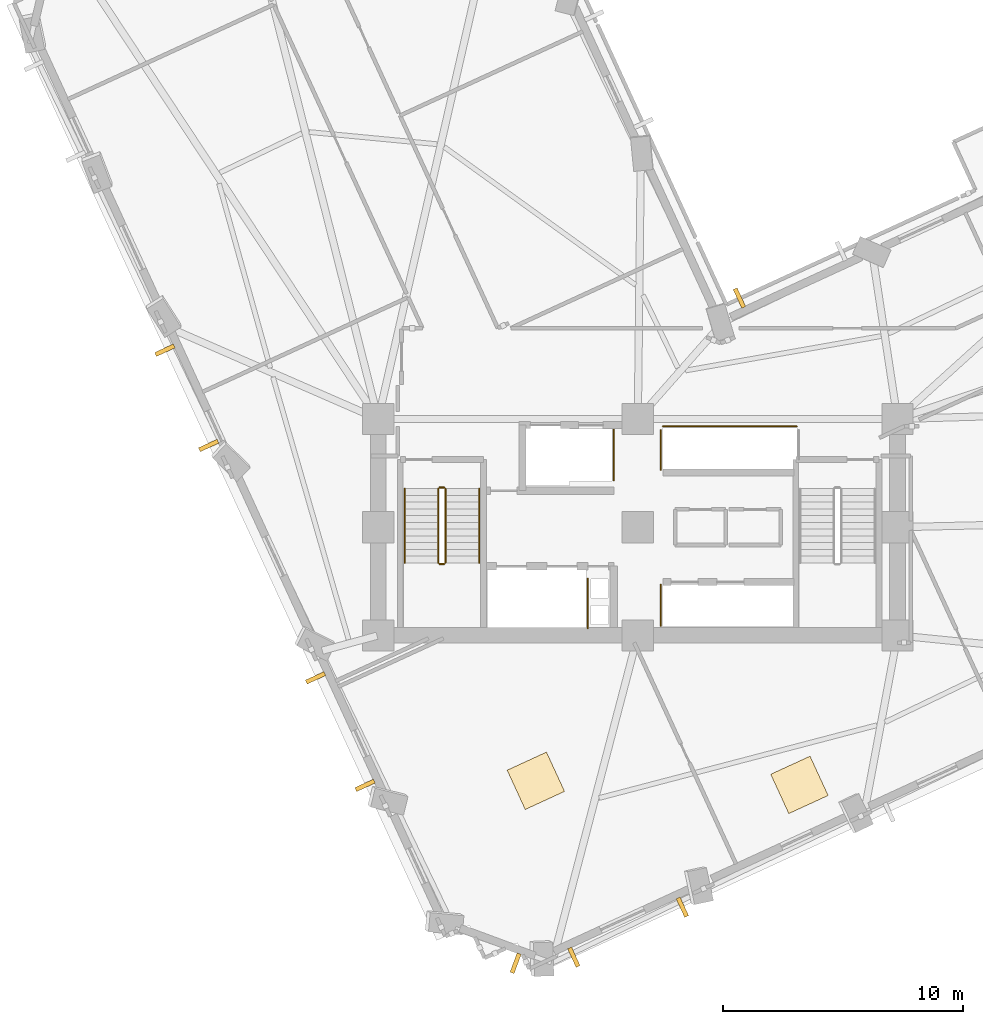
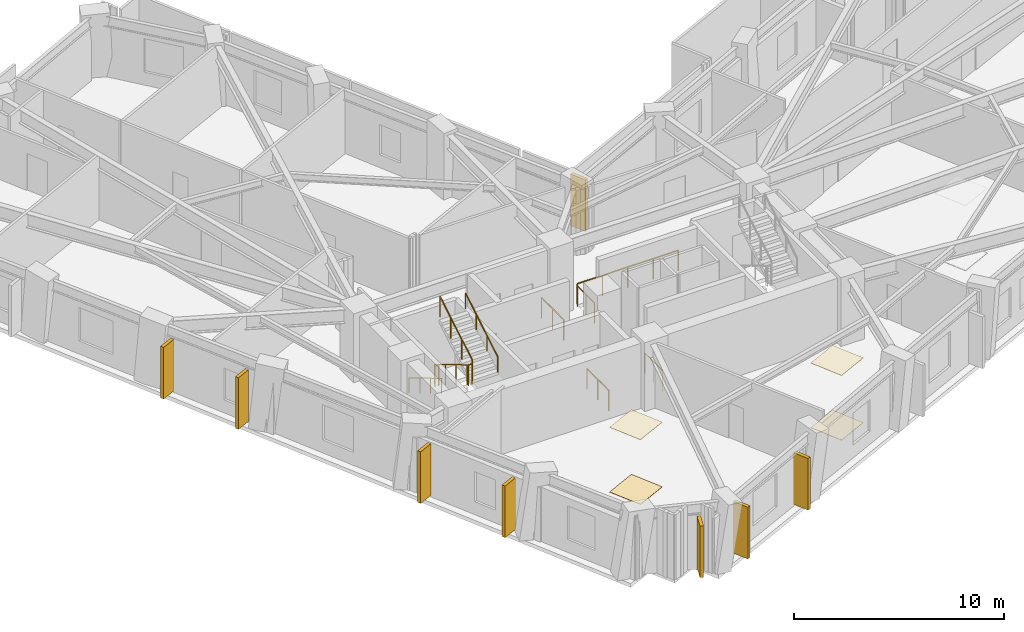
# One storey, part 12 of 16: 11 railings, 8 shading devices, 4 coverings.
"""IFC4 building model written with IfcOpenShell, lengths in metres."""

from ifc_helpers import new_model, si_unit, direction, frame, origin, origin_2d, place, context, subcontext, project, spatial, rectangle, circle, extrude, material, layer, layer_set, type_object, element, save


model = new_model("IFC4")

# Units and contexts
model_context = context("Model", 3, precision=1e-05, world=origin(), true_north=direction((0.0, 1.0)))
body_context = subcontext(model_context, "Body", "Model", "MODEL_VIEW")
ifc_project = project(units=[si_unit("LENGTHUNIT", "METRE"), si_unit("AREAUNIT", "SQUARE_METRE"), si_unit("VOLUMEUNIT", "CUBIC_METRE"), si_unit("PLANEANGLEUNIT", "RADIAN"), si_unit("MASSUNIT", "GRAM", prefix="KILO")], contexts=[model_context])

# Site, building, storey
site_placement = place(None, origin())
site = spatial("IfcSite", under=ifc_project, at=site_placement, CompositionType="ELEMENT")
building_placement = place(site_placement, origin())
building = spatial("IfcBuilding", under=site, at=building_placement, Name="Gaonmaruhae Medical Tower", CompositionType="ELEMENT")
storey_placement = place(building_placement, frame((0.0, 0.0, 128.39990234375)))
storey = spatial("IfcBuildingStorey", under=building, at=storey_placement, Name="L30", CompositionType="ELEMENT", Elevation=128.39990234375)

# Coverings
ifc_material_1 = material(Name="Acoustic mineral ceiling tile", Category="finish")
ifc_layer_1 = layer(ifc_material_1, 0.02490234375)
ifc_layer_set_1 = layer_set([ifc_layer_1], Name="Acoustic mineral ceiling tile")
covering_type_1 = type_object("IfcCoveringType", Name="CLG-01 Antimicrobial Acoustic Mineral Ceiling", PredefinedType="CEILING", material=ifc_layer_set_1)
for number, where, z_axis, x_axis, name in (
    (1, (20.55810546875, 1.75146484375, 3.755126953125), (0.0, 0.0, 1.0), (0.908508177527, 0.417867073801, 0.0), "L30 Clinical Room Acoustic Ceiling 2"),
    (2, (31.52197265625, 1.581787109375, 3.755126953125), (0.0, 0.0, 1.0), (0.908508177527, 0.417867073801, 0.0), "L30 Clinical Room Acoustic Ceiling 3"),
):
    element("IfcCovering", number, at=place(storey_placement, frame(where, z_axis=z_axis, x_axis=x_axis)), inside=storey, type_object=covering_type_1, Name=name, PredefinedType="CEILING", context=body_context, shape_type="SweptSolid", body=[
        extrude(rectangle(XDim=1.800048828125, YDim=1.800048828125, at=origin_2d()), origin(), (0.0, 0.0, 1.0), 0.02490234375),
    ])
ifc_material_2 = material(Name="Seamless clinical vinyl flooring", Category="finish")
ifc_layer_2 = layer(ifc_material_2, 0.014892578125)
ifc_layer_set_2 = layer_set([ifc_layer_2], Name="Seamless clinical vinyl flooring")
covering_type_2 = type_object("IfcCoveringType", Name="FLR-01 Seamless Clinical Antistatic Vinyl Flooring", PredefinedType="FLOORING", material=ifc_layer_set_2)
for number, where, z_axis, x_axis, name in (
    (3, (20.55810546875, 1.75146484375, 0.0), (0.0, 0.0, 1.0), (0.908508177527, 0.417867073801, 0.0), "L30 Clinical Room Vinyl Flooring 2"),
    (4, (31.52197265625, 1.581787109375, 0.0), (0.0, 0.0, 1.0), (0.908508177527, 0.417867073801, 0.0), "L30 Clinical Room Vinyl Flooring 3"),
):
    element("IfcCovering", number, at=place(storey_placement, frame(where, z_axis=z_axis, x_axis=x_axis)), inside=storey, type_object=covering_type_2, Name=name, PredefinedType="FLOORING", context=body_context, shape_type="SweptSolid", body=[
        extrude(rectangle(XDim=1.800048828125, YDim=1.800048828125, at=origin_2d()), origin(), (0.0, 0.0, 1.0), 0.014892578125),
    ])

# Railings
ifc_material_3 = material(Name="Stainless steel 304 handrail", Category="steel")
railing_type_1 = type_object("IfcRailingType", Name="HR-092 Continuous Stainless Steel Stair Handrail", PredefinedType="HANDRAIL", material=ifc_material_3)
railing_1_placement = place(storey_placement, frame((15.10009765625, 13.89990234375, 0.166748046875)))
element("IfcRailing", 5, at=railing_1_placement, inside=storey, type_object=railing_type_1, Name="L30 ST-01 stair handrail 1", PredefinedType="HANDRAIL", context=body_context, shape_type="SweptSolid", body=[
    extrude(circle(Radius=0.02392578125, at=origin_2d()), frame((0.0, 0.0, 0.8759765625), z_axis=(0.0, -0.859290745958, 0.51148745235), x_axis=(1.0, 0.0, 0.0)), (0.0, 0.0, 1.0), 3.584228515625),
    extrude(circle(Radius=0.02099609375, at=origin_2d()), origin(), (0.0, 0.0, 1.0), 0.851806640625),
    extrude(circle(Radius=0.02099609375, at=origin_2d()), frame((0.0, -1.026611328125, 0.611083984375)), (0.0, 0.0, 1.0), 0.851806640625),
    extrude(circle(Radius=0.02099609375, at=origin_2d()), frame((0.0, -2.05322265625, 1.22216796875)), (0.0, 0.0, 1.0), 0.851806640625),
    extrude(circle(Radius=0.02099609375, at=origin_2d()), frame((0.0, -3.079833984375, 1.833251953125)), (0.0, 0.0, 1.0), 0.851806640625),
])
railing_2_placement = place(storey_placement, frame((18.199951171875, 10.820068359375, 2.166748046875)))
element("IfcRailing", 6, at=railing_2_placement, inside=storey, type_object=railing_type_1, Name="L30 ST-01 stair handrail 2", PredefinedType="HANDRAIL", context=body_context, shape_type="SweptSolid", body=[
    extrude(circle(Radius=0.02392578125, at=origin_2d()), frame((0.0, 0.0, 0.8759765625), z_axis=(0.0, 0.859290745958, 0.51148745235), x_axis=(-1.0, 0.0, 0.0)), (0.0, 0.0, 1.0), 3.584228515625),
    extrude(circle(Radius=0.02099609375, at=origin_2d()), origin(), (0.0, 0.0, 1.0), 0.851806640625),
    extrude(circle(Radius=0.02099609375, at=origin_2d()), frame((0.0, 1.026611328125, 0.611083984375)), (0.0, 0.0, 1.0), 0.851806640625),
    extrude(circle(Radius=0.02099609375, at=origin_2d()), frame((0.0, 2.05322265625, 1.22216796875)), (0.0, 0.0, 1.0), 0.851806640625),
    extrude(circle(Radius=0.02099609375, at=origin_2d()), frame((0.0, 3.079833984375, 1.833251953125)), (0.0, 0.0, 1.0), 0.851806640625),
])

# Shading devices
ifc_material_4 = material(Name="Pigmented coral precast concrete C45/55", Category="concrete")
shading_device_type = type_object("IfcShadingDeviceType", Name="SD-FIN1 Tower Vertical Coral Precast Shading Fin", PredefinedType="USERDEFINED", material=ifc_material_4)
for number, where, z_axis, x_axis, name in (
    (7, (26.6533203125, -3.5078125, 0.08251953125), (0.0, 0.0, 1.0), (-0.908508177527, -0.417867073801, 0.0), "L30 Vertical Coral Precast Shading Fin S01"),
    (8, (22.137939453125, -5.584716796875, 0.08251953125), (0.0, 0.0, 1.0), (-0.908508177527, -0.417867073801, 0.0), "L30 Vertical Coral Precast Shading Fin S01B"),
    (9, (29.026611328125, 21.83251953125, 0.08251953125), (0.0, 0.0, 1.0), (0.908508177527, 0.417867073801, 0.0), "L30 Vertical Coral Precast Shading Fin EN03"),
    (10, (6.94970703125, 15.69921875, 0.08251953125), (0.0, 0.0, 1.0), (-0.417882930196, 0.908500884232, 0.0), "L30 Vertical Coral Precast Shading Fin W03"),
    (11, (5.126708984375, 19.662353515625, 0.08251953125), (0.0, 0.0, 1.0), (-0.417882930196, 0.908500884232, 0.0), "L30 Vertical Coral Precast Shading Fin W03B"),
    (12, (13.452392578125, 1.56103515625, 0.08251953125), (0.0, 0.0, 1.0), (-0.417867073801, 0.908508177527, 0.0), "L30 Vertical Coral Precast Shading Fin W05"),
    (13, (11.39501953125, 6.0341796875, 0.08251953125), (0.0, 0.0, 1.0), (-0.417867073801, 0.908508177527, 0.0), "L30 Vertical Coral Precast Shading Fin W05B"),
    (14, (19.715576171875, -5.83740234375, 0.08251953125), (0.0, 0.0, 1.0), (-0.9378828793, 0.34695202077, 0.0), "L30 Vertical Coral Precast Shading Fin W07"),
):
    element("IfcShadingDevice", number, at=place(storey_placement, frame(where, z_axis=z_axis, x_axis=x_axis)), inside=storey, type_object=shading_device_type, Name=name, ObjectType="FIN", PredefinedType="USERDEFINED", context=body_context, shape_type="SweptSolid", body=[
        extrude(rectangle(XDim=0.179931640625, YDim=0.85009765625, at=origin_2d()), origin(), (0.0, 0.0, 1.0), 3.0),
    ])

# Railings
ifc_material_5 = material(Name="Stainless steel 304 balustrade", Category="steel")
railing_type_2 = type_object("IfcRailingType", Name="SG-112 Stair Well & Ramp Void Safety Balustrade", PredefinedType="BALUSTRADE", material=ifc_material_5)
railing_3_placement = place(storey_placement, frame((16.5, 13.89990234375, 0.166748046875)))
element("IfcRailing", 15, at=railing_3_placement, inside=storey, type_object=railing_type_2, Name="L30 ST-01 stair guard 1", PredefinedType="BALUSTRADE", context=body_context, shape_type="SweptSolid", body=[
    extrude(circle(Radius=0.02392578125, at=origin_2d()), frame((0.0, 0.0, 1.17578125), z_axis=(0.0, -0.859290745958, 0.51148745235), x_axis=(1.0, 0.0, 0.0)), (0.0, 0.0, 1.0), 3.584228515625),
    extrude(circle(Radius=0.02099609375, at=origin_2d()), origin(), (0.0, 0.0, 1.0), 1.15185546875),
    extrude(circle(Radius=0.02099609375, at=origin_2d()), frame((0.0, -1.026611328125, 0.611083984375)), (0.0, 0.0, 1.0), 1.15185546875),
    extrude(circle(Radius=0.02099609375, at=origin_2d()), frame((0.0, -2.05322265625, 1.22216796875)), (0.0, 0.0, 1.0), 1.15185546875),
    extrude(circle(Radius=0.02099609375, at=origin_2d()), frame((0.0, -3.079833984375, 1.833251953125)), (0.0, 0.0, 1.0), 1.15185546875),
])
railing_4_placement = place(storey_placement, frame((16.550048828125, 10.77001953125, 2.0)))
element("IfcRailing", 16, at=railing_4_placement, inside=storey, type_object=railing_type_2, Name="L30 ST-01 stair guard 2", PredefinedType="BALUSTRADE", context=body_context, shape_type="SweptSolid", body=[
    extrude(circle(Radius=0.02392578125, at=origin_2d()), frame((0.0, 0.0, 1.17578125), z_axis=(1.0, 0.0, 0.0), x_axis=(0.0, 1.0, 0.0)), (0.0, 0.0, 1.0), 0.199951171875),
    extrude(circle(Radius=0.02099609375, at=origin_2d()), origin(), (0.0, 0.0, 1.0), 1.15185546875),
    extrude(circle(Radius=0.02099609375, at=origin_2d()), frame((0.199951171875, 0.0, 0.0)), (0.0, 0.0, 1.0), 1.15185546875),
])
railing_5_placement = place(storey_placement, frame((16.800048828125, 10.820068359375, 2.166748046875)))
element("IfcRailing", 17, at=railing_5_placement, inside=storey, type_object=railing_type_2, Name="L30 ST-01 stair guard 3", PredefinedType="BALUSTRADE", context=body_context, shape_type="SweptSolid", body=[
    extrude(circle(Radius=0.02392578125, at=origin_2d()), frame((0.0, 0.0, 1.17578125), z_axis=(0.0, 0.859290745958, 0.51148745235), x_axis=(-1.0, 0.0, 0.0)), (0.0, 0.0, 1.0), 3.584228515625),
    extrude(circle(Radius=0.02099609375, at=origin_2d()), origin(), (0.0, 0.0, 1.0), 1.15185546875),
    extrude(circle(Radius=0.02099609375, at=origin_2d()), frame((0.0, 1.026611328125, 0.611083984375)), (0.0, 0.0, 1.0), 1.15185546875),
    extrude(circle(Radius=0.02099609375, at=origin_2d()), frame((0.0, 2.05322265625, 1.22216796875)), (0.0, 0.0, 1.0), 1.15185546875),
    extrude(circle(Radius=0.02099609375, at=origin_2d()), frame((0.0, 3.079833984375, 1.833251953125)), (0.0, 0.0, 1.0), 1.15185546875),
])
railing_6_placement = place(storey_placement, frame((16.550048828125, 13.949951171875, 0.0)))
element("IfcRailing", 18, at=railing_6_placement, inside=storey, type_object=railing_type_2, Name="L30 ST-01 stair guard 4", PredefinedType="BALUSTRADE", context=body_context, shape_type="SweptSolid", body=[
    extrude(circle(Radius=0.02392578125, at=origin_2d()), frame((0.0, 0.0, 1.17578125), z_axis=(1.0, 0.0, 0.0), x_axis=(0.0, 1.0, 0.0)), (0.0, 0.0, 1.0), 0.199951171875),
    extrude(circle(Radius=0.02099609375, at=origin_2d()), origin(), (0.0, 0.0, 1.0), 1.15185546875),
    extrude(circle(Radius=0.02099609375, at=origin_2d()), frame((0.199951171875, 0.0, 0.0)), (0.0, 0.0, 1.0), 1.15185546875),
])
railing_7_placement = place(storey_placement, frame((25.7548828125, 8.195068359375, 0.0)))
element("IfcRailing", 19, at=railing_7_placement, inside=storey, type_object=railing_type_2, Name="L30 Shaft Edge Safety Guard 04", PredefinedType="BALUSTRADE", context=body_context, shape_type="SweptSolid", body=[
    extrude(circle(Radius=0.02392578125, at=origin_2d()), frame((0.0, 0.0, 1.17578125), z_axis=(0.0, 1.0, 0.0), x_axis=(-1.0, 0.0, 0.0)), (0.0, 0.0, 1.0), 1.7099609375),
    extrude(circle(Radius=0.02099609375, at=origin_2d()), origin(), (0.0, 0.0, 1.0), 1.15185546875),
    extrude(circle(Radius=0.02099609375, at=origin_2d()), frame((0.0, 0.85498046875, 0.0)), (0.0, 0.0, 1.0), 1.15185546875),
    extrude(circle(Radius=0.02099609375, at=origin_2d()), frame((0.0, 1.7099609375, 0.0)), (0.0, 0.0, 1.0), 1.15185546875),
])
railing_8_placement = place(storey_placement, frame((22.719970703125, 10.159912109375, 0.0)))
element("IfcRailing", 20, at=railing_8_placement, inside=storey, type_object=railing_type_2, Name="L30 Shaft Edge Safety Guard 05", PredefinedType="BALUSTRADE", context=body_context, shape_type="SweptSolid", body=[
    extrude(circle(Radius=0.02392578125, at=origin_2d()), frame((0.0, 0.0, 1.17578125), z_axis=(0.0, -1.0, 0.0), x_axis=(1.0, 0.0, 0.0)), (0.0, 0.0, 1.0), 2.06494140625),
    extrude(circle(Radius=0.02099609375, at=origin_2d()), origin(), (0.0, 0.0, 1.0), 1.15185546875),
    extrude(circle(Radius=0.02099609375, at=origin_2d()), frame((0.0, -1.032470703125, 0.0)), (0.0, 0.0, 1.0), 1.15185546875),
    extrude(circle(Radius=0.02099609375, at=origin_2d()), frame((0.0, -2.06494140625, 0.0)), (0.0, 0.0, 1.0), 1.15185546875),
])
railing_9_placement = place(storey_placement, frame((23.794921875, 16.35498046875, 0.0)))
element("IfcRailing", 21, at=railing_9_placement, inside=storey, type_object=railing_type_2, Name="L30 Shaft Edge Safety Guard 06", PredefinedType="BALUSTRADE", context=body_context, shape_type="SweptSolid", body=[
    extrude(circle(Radius=0.02392578125, at=origin_2d()), frame((0.0, 0.0, 1.17578125), z_axis=(0.0, -1.0, 0.0), x_axis=(1.0, 0.0, 0.0)), (0.0, 0.0, 1.0), 2.10986328125),
    extrude(circle(Radius=0.02099609375, at=origin_2d()), origin(), (0.0, 0.0, 1.0), 1.15185546875),
    extrude(circle(Radius=0.02099609375, at=origin_2d()), frame((0.0, -1.054931640625, 0.0)), (0.0, 0.0, 1.0), 1.15185546875),
    extrude(circle(Radius=0.02099609375, at=origin_2d()), frame((0.0, -2.10986328125, 0.0)), (0.0, 0.0, 1.0), 1.15185546875),
])
railing_10_placement = place(storey_placement, frame((25.844970703125, 16.4951171875, 0.0)))
element("IfcRailing", 22, at=railing_10_placement, inside=storey, type_object=railing_type_2, Name="L30 Shaft Edge Safety Guard 07", PredefinedType="BALUSTRADE", context=body_context, shape_type="SweptSolid", body=[
    extrude(circle(Radius=0.02392578125, at=origin_2d()), frame((0.0, 0.0, 1.17578125), z_axis=(1.0, 0.0, 0.0), x_axis=(0.0, 1.0, 0.0)), (0.0, 0.0, 1.0), 5.56005859375),
    extrude(circle(Radius=0.02099609375, at=origin_2d()), origin(), (0.0, 0.0, 1.0), 1.15185546875),
    extrude(circle(Radius=0.02099609375, at=origin_2d()), frame((1.39013671875, 0.0, 0.0)), (0.0, 0.0, 1.0), 1.15185546875),
    extrude(circle(Radius=0.02099609375, at=origin_2d()), frame((2.780029296875, 0.0, 0.0)), (0.0, 0.0, 1.0), 1.15185546875),
    extrude(circle(Radius=0.02099609375, at=origin_2d()), frame((4.169921875, 0.0, 0.0)), (0.0, 0.0, 1.0), 1.15185546875),
    extrude(circle(Radius=0.02099609375, at=origin_2d()), frame((5.56005859375, 0.0, 0.0)), (0.0, 0.0, 1.0), 1.15185546875),
])
railing_11_placement = place(storey_placement, frame((25.7548828125, 14.695068359375, 0.0)))
element("IfcRailing", 23, at=railing_11_placement, inside=storey, type_object=railing_type_2, Name="L30 Shaft Edge Safety Guard 09", PredefinedType="BALUSTRADE", context=body_context, shape_type="SweptSolid", body=[
    extrude(circle(Radius=0.02392578125, at=origin_2d()), frame((0.0, 0.0, 1.17578125), z_axis=(0.0, 1.0, 0.0), x_axis=(-1.0, 0.0, 0.0)), (0.0, 0.0, 1.0), 1.635009765625),
    extrude(circle(Radius=0.02099609375, at=origin_2d()), origin(), (0.0, 0.0, 1.0), 1.15185546875),
    extrude(circle(Radius=0.02099609375, at=origin_2d()), frame((0.0, 0.8173828125, 0.0)), (0.0, 0.0, 1.0), 1.15185546875),
    extrude(circle(Radius=0.02099609375, at=origin_2d()), frame((0.0, 1.635009765625, 0.0)), (0.0, 0.0, 1.0), 1.15185546875),
])

save(model, "model.ifc")
